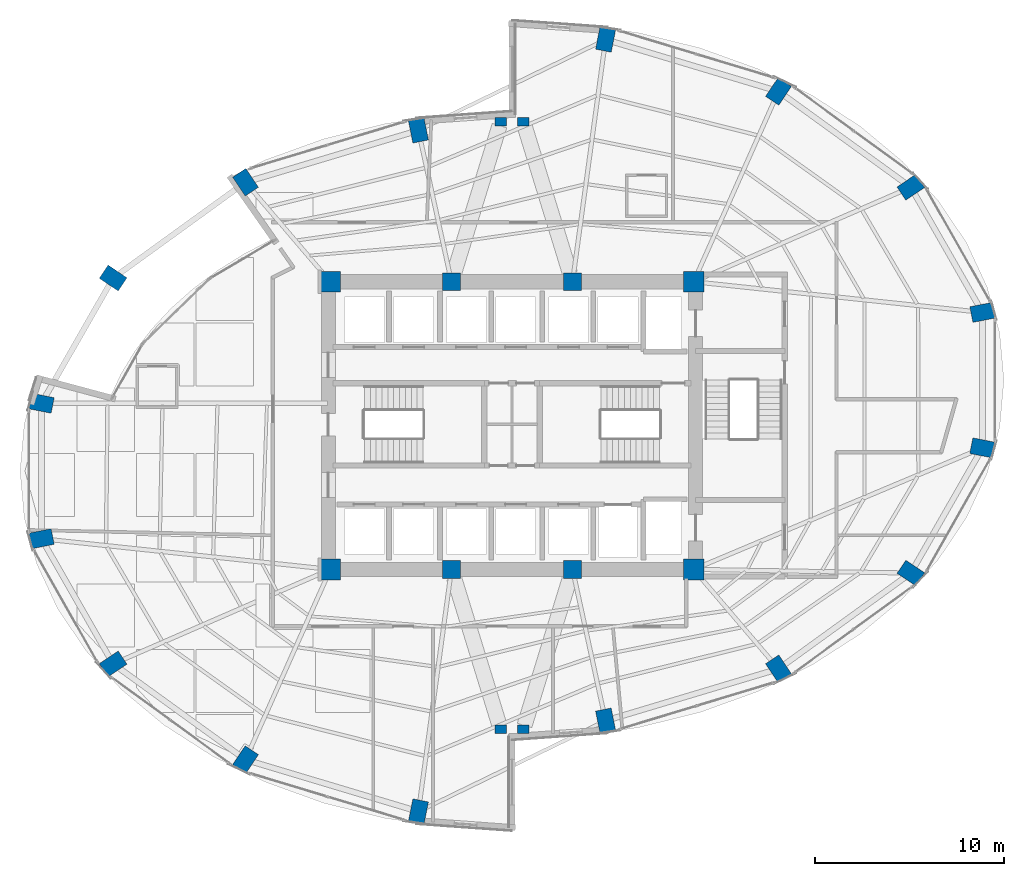
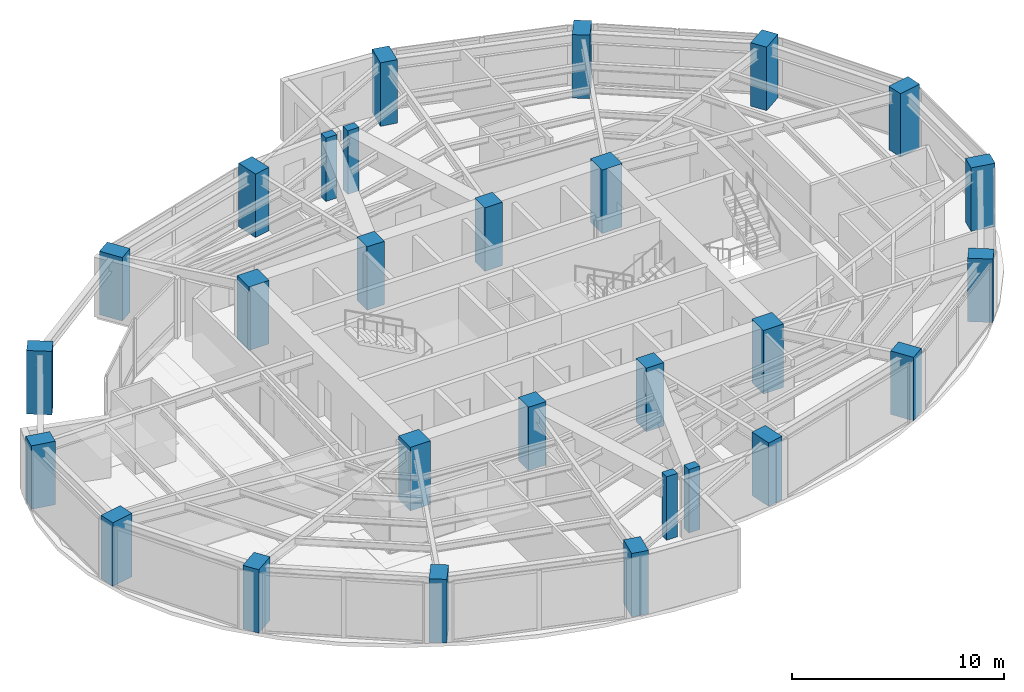
# One storey, part 1 of 24: 28 columns.
"""IFC4 building model written with IfcOpenShell, lengths in metres."""

from ifc_helpers import new_model, si_unit, direction, frame, origin, origin_2d, place, context, subcontext, project, spatial, rectangle, extrude, material, material_profile, profile_set, type_object, element, save


model = new_model("IFC4")

# Units and contexts
model_context = context("Model", 3, precision=1e-05, world=origin(), true_north=direction((0.0, 1.0)))
body_context = subcontext(model_context, "Body", "Model", "MODEL_VIEW")
ifc_project = project(units=[si_unit("LENGTHUNIT", "METRE"), si_unit("AREAUNIT", "SQUARE_METRE"), si_unit("VOLUMEUNIT", "CUBIC_METRE"), si_unit("PLANEANGLEUNIT", "RADIAN"), si_unit("MASSUNIT", "GRAM", prefix="KILO")], contexts=[model_context])

# Site, building, storey
site_placement = place(None, origin())
site = spatial("IfcSite", under=ifc_project, at=site_placement, CompositionType="ELEMENT")
building_placement = place(site_placement, origin())
building = spatial("IfcBuilding", under=site, at=building_placement, Name="Lazwardi Medical Tower", CompositionType="ELEMENT")
storey_placement = place(building_placement, frame((0.0, 0.0, 114.575927734375)))
storey = spatial("IfcBuildingStorey", under=building, at=storey_placement, Name="L29", CompositionType="ELEMENT", Elevation=114.575927734375)

# Columns
ifc_material_1 = material(Name="Concrete C80/95", Category="concrete")
ifc_material_profile_1 = material_profile(ifc_material_1, rectangle(XDim=1.10009765625, YDim=1.10009765625, at=origin_2d()), Name="RC 1100x1100")
ifc_profile_set_1 = profile_set([ifc_material_profile_1], Name="Concrete C80/95")
column_type_1 = type_object("IfcColumnType", Name="COL-CC-L", PredefinedType="COLUMN", material=ifc_profile_set_1)
for number, where, z_axis, x_axis, name in (
    (1, (26.39990234375, 20.39990234375, 0.0), (0.0, 0.0, 1.0), (1.0, 0.0, 0.0), "Core column CC-01 CC1 L29"),
    (2, (45.60009765625, 20.39990234375, 0.0), (0.0, 0.0, 1.0), (1.0, 0.0, 0.0), "Core column CC-01 CC4 L29"),
    (3, (45.60009765625, 35.60009765625, 0.0), (0.0, 0.0, 1.0), (1.0, 0.0, 0.0), "Core column CC-01 CC5 L29"),
    (4, (26.39990234375, 35.60009765625, 0.0), (0.0, 0.0, 1.0), (1.0, 0.0, 0.0), "Core column CC-01 CC8 L29"),
):
    element("IfcColumn", number, at=place(storey_placement, frame(where, z_axis=z_axis, x_axis=x_axis)), inside=storey, type_object=column_type_1, Name=name, PredefinedType="COLUMN", context=body_context, shape_type="SweptSolid", body=[
        extrude(rectangle(XDim=1.10009765625, YDim=1.10009765625, at=origin_2d()), origin(), (0.0, 0.0, 1.0), 3.648193359375),
    ])
ifc_material_2 = material(Name="Concrete C70/85", Category="concrete")
ifc_material_profile_2 = material_profile(ifc_material_2, rectangle(XDim=0.949951171875, YDim=0.949951171875, at=origin_2d()), Name="RC 950x950")
ifc_profile_set_2 = profile_set([ifc_material_profile_2], Name="Concrete C70/85")
column_type_2 = type_object("IfcColumnType", Name="COL-CC-M", PredefinedType="COLUMN", material=ifc_profile_set_2)
for number, where, z_axis, x_axis, name in (
    (5, (32.800048828125, 20.39990234375, 0.0), (0.0, 0.0, 1.0), (1.0, 0.0, 0.0), "Core column CC-02 CC2 L29"),
    (6, (39.199951171875, 20.39990234375, 0.0), (0.0, 0.0, 1.0), (1.0, 0.0, 0.0), "Core column CC-02 CC3 L29"),
    (7, (39.199951171875, 35.60009765625, 0.0), (0.0, 0.0, 1.0), (1.0, 0.0, 0.0), "Core column CC-02 CC6 L29"),
    (8, (32.800048828125, 35.60009765625, 0.0), (0.0, 0.0, 1.0), (1.0, 0.0, 0.0), "Core column CC-02 CC7 L29"),
):
    element("IfcColumn", number, at=place(storey_placement, frame(where, z_axis=z_axis, x_axis=x_axis)), inside=storey, type_object=column_type_2, Name=name, PredefinedType="COLUMN", context=body_context, shape_type="SweptSolid", body=[
        extrude(rectangle(XDim=0.949951171875, YDim=0.949951171875, at=origin_2d()), origin(), (0.0, 0.0, 1.0), 3.648193359375),
    ])
ifc_material_profile_3 = material_profile(ifc_material_2, rectangle(XDim=1.199951171875, YDim=0.840087890625, at=origin_2d()), Name="CFT-RECT 1200x840")
ifc_profile_set_3 = profile_set([ifc_material_profile_3], Name="Concrete C70/85")
column_type_3 = type_object("IfcColumnType", Name="COL-MC-Z2", PredefinedType="COLUMN", material=ifc_profile_set_3)
for number, where, z_axis, x_axis, name in (
    (9, (40.945556640625, 12.402587890625, 0.0), (0.0, 0.0, 1.0), (0.195090322016, -0.980785280403, 0.0), "Mega column MC-04 M01 L29"),
    (10, (50.083740234375, 15.142578125, 0.0), (0.0, 0.0, 1.0), (0.55557023302, -0.831469612303, 0.0), "Mega column MC-04 M02 L29"),
    (11, (57.077880859375, 20.205322265625, 0.0), (0.0, 0.0, 1.0), (0.831469612303, -0.55557023302, 0.0), "Mega column MC-04 M03 L29"),
    (12, (60.86279296875, 26.820068359375, 0.0), (0.0, 0.0, 1.0), (0.980785280403, -0.195090322016, 0.0), "Mega column MC-04 M04 L29"),
    (13, (60.86279296875, 33.97998046875, 0.0), (0.0, 0.0, 1.0), (0.980785280403, 0.195090322016, 0.0), "Mega column MC-04 M05 L29"),
    (14, (57.077880859375, 40.5947265625, 0.0), (0.0, 0.0, 1.0), (0.831469612303, 0.55557023302, 0.0), "Mega column MC-04 M06 L29"),
    (15, (50.083740234375, 45.657470703125, 0.0), (0.0, 0.0, 1.0), (0.55557023302, 0.831469612303, 0.0), "Mega column MC-04 M07 L29"),
    (16, (40.945556640625, 48.3974609375, 0.0), (0.0, 0.0, 1.0), (0.195090322016, 0.980785280403, 0.0), "Mega column MC-04 M08 L29"),
    (17, (31.054443359375, 43.597412109375, 0.0), (0.0, 0.0, 1.0), (-0.195090322016, 0.980785280403, 0.0), "Mega column MC-04 M09 L29"),
    (18, (21.916259765625, 40.857421875, 0.0), (0.0, 0.0, 1.0), (-0.55557023302, 0.831469612303, 0.0), "Mega column MC-04 M10 L29"),
    (19, (14.922119140625, 35.794677734375, 0.0), (0.0, 0.0, 1.0), (-0.831469612303, 0.55557023302, 0.0), "Mega column MC-04 M11 L29"),
    (20, (11.13720703125, 29.179931640625, 0.0), (0.0, 0.0, 1.0), (-0.980785280403, 0.195090322016, 0.0), "Mega column MC-04 M12 L29"),
    (21, (11.13720703125, 22.02001953125, 0.0), (0.0, 0.0, 1.0), (-0.980785280403, -0.195090322016, 0.0), "Mega column MC-04 M13 L29"),
    (22, (14.922119140625, 15.4052734375, 0.0), (0.0, 0.0, 1.0), (-0.831469612303, -0.55557023302, 0.0), "Mega column MC-04 M14 L29"),
    (23, (21.916259765625, 10.342529296875, 0.0), (0.0, 0.0, 1.0), (-0.55557023302, -0.831469612303, 0.0), "Mega column MC-04 M15 L29"),
    (24, (31.054443359375, 7.6025390625, 0.0), (0.0, 0.0, 1.0), (-0.195090322016, -0.980785280403, 0.0), "Mega column MC-04 M16 L29"),
):
    element("IfcColumn", number, at=place(storey_placement, frame(where, z_axis=z_axis, x_axis=x_axis)), inside=storey, type_object=column_type_3, Name=name, PredefinedType="COLUMN", context=body_context, shape_type="SweptSolid", body=[
        extrude(rectangle(XDim=1.199951171875, YDim=0.840087890625, at=origin_2d()), origin(), (0.0, 0.0, 1.0), 3.648193359375),
    ])
ifc_material_3 = material(Name="Concrete C60/75", Category="concrete")
ifc_material_profile_4 = material_profile(ifc_material_3, rectangle(XDim=0.60009765625, YDim=0.449951171875, at=origin_2d()), Name="RC 600x450")
ifc_profile_set_4 = profile_set([ifc_material_profile_4], Name="Concrete C60/75")
column_type_4 = type_object("IfcColumnType", Name="COL-PL-IW", PredefinedType="PILASTER", material=ifc_profile_set_4)
for number, where, z_axis, x_axis, name in (
    (25, (35.39990234375, 44.050048828125, 0.0), (0.0, 0.0, 1.0), (1.0, 0.0, 0.0), "Iwan pilaster column PL-C1 PL1 L29"),
    (26, (36.60009765625, 44.050048828125, 0.0), (0.0, 0.0, 1.0), (1.0, 0.0, 0.0), "Iwan pilaster column PL-C1 PL2 L29"),
    (27, (35.39990234375, 11.949951171875, 0.0), (0.0, 0.0, 1.0), (1.0, 0.0, 0.0), "Iwan pilaster column PL-C1 PL3 L29"),
    (28, (36.60009765625, 11.949951171875, 0.0), (0.0, 0.0, 1.0), (1.0, 0.0, 0.0), "Iwan pilaster column PL-C1 PL4 L29"),
):
    element("IfcColumn", number, at=place(storey_placement, frame(where, z_axis=z_axis, x_axis=x_axis)), inside=storey, type_object=column_type_4, Name=name, PredefinedType="PILASTER", context=body_context, shape_type="SweptSolid", body=[
        extrude(rectangle(XDim=0.60009765625, YDim=0.449951171875, at=origin_2d()), origin(), (0.0, 0.0, 1.0), 3.648193359375),
    ])

save(model, "model.ifc")
